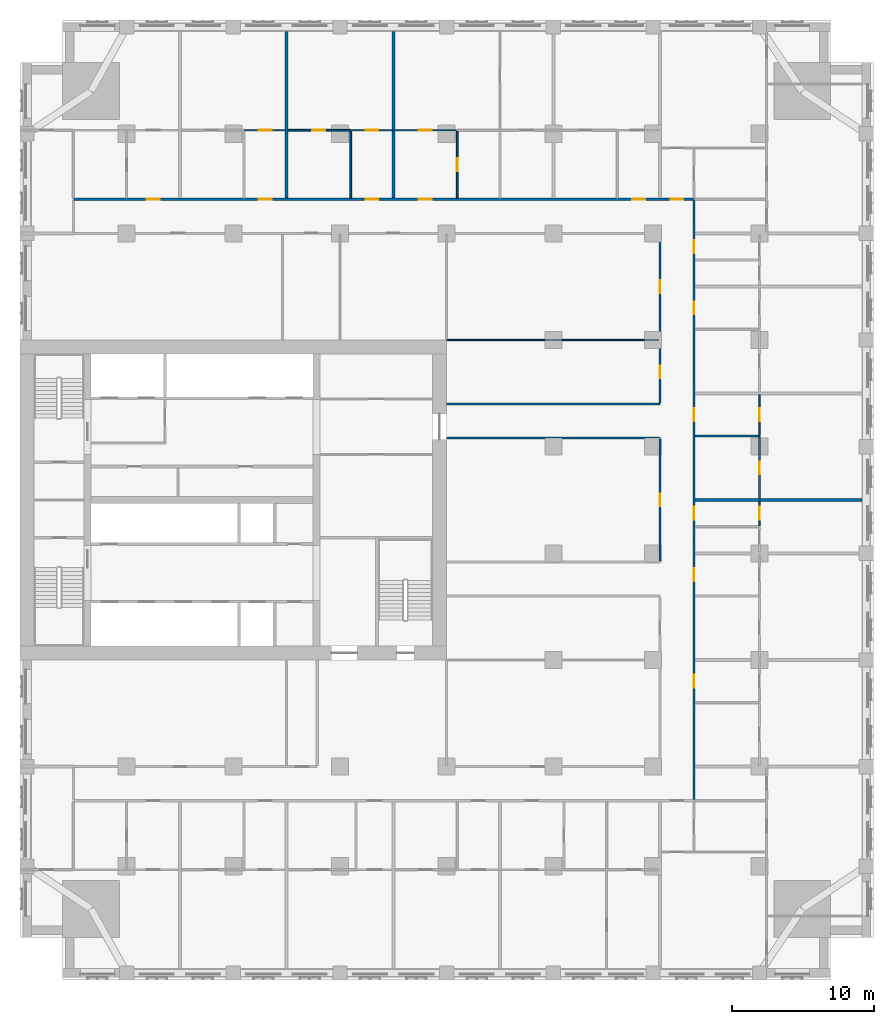
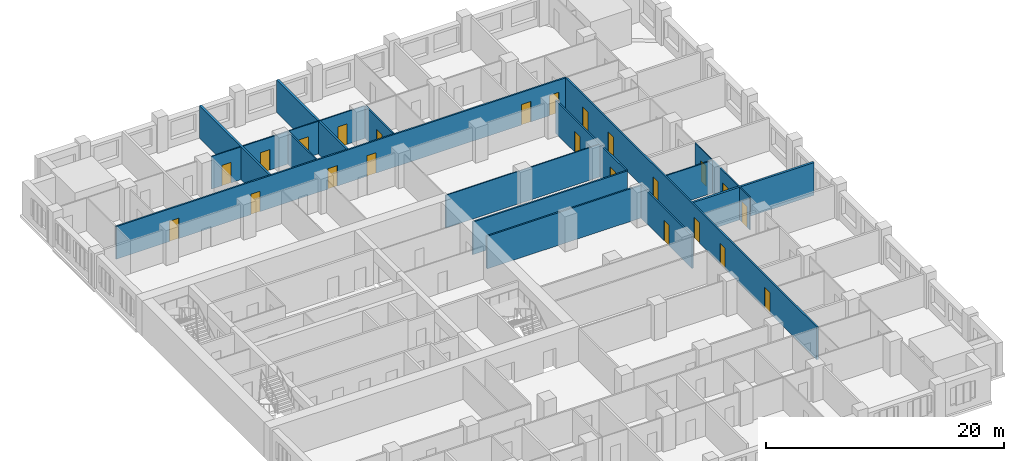
# One storey, part 9 of 14: 23 doors, 19 walls, 23 openings.
"""IFC4 building model written with IfcOpenShell, lengths in metres."""

from ifc_helpers import new_model, si_unit, direction, frame, frame_2d, origin, place, context, subcontext, project, spatial, rectangle, extrude, material, layer, layer_set, type_object, element, fill, save


model = new_model("IFC4")

# Units and contexts
model_context = context("Model", 3, precision=1e-05, world=origin(), true_north=direction((0.0, 1.0)))
body_context = subcontext(model_context, "Body", "Model", "MODEL_VIEW")
ifc_project = project(units=[si_unit("LENGTHUNIT", "METRE"), si_unit("AREAUNIT", "SQUARE_METRE"), si_unit("VOLUMEUNIT", "CUBIC_METRE"), si_unit("PLANEANGLEUNIT", "RADIAN"), si_unit("MASSUNIT", "GRAM", prefix="KILO")], contexts=[model_context])

# Site, building, storey
site_placement = place(None, origin())
site = spatial("IfcSite", under=ifc_project, at=site_placement, CompositionType="ELEMENT")
building_placement = place(site_placement, origin())
building = spatial("IfcBuilding", under=site, at=building_placement, Name="Tamorin Gate", CompositionType="ELEMENT")
storey_placement = place(building_placement, frame((0.0, 0.0, 52.0)))
storey = spatial("IfcBuildingStorey", under=building, at=storey_placement, Name="L11", CompositionType="ELEMENT", Elevation=52.0)

# Wall, openings, doors
ifc_material_1 = material(Name="Gypsum board partition")
ifc_layer_1 = layer(ifc_material_1, 0.14990234375)
ifc_layer_set_1 = layer_set([ifc_layer_1], Name="Corridor wall 150")
wall_type_1 = type_object("IfcWallType", Name="Corridor wall 150", PredefinedType="PARTITIONING", material=ifc_layer_set_1)
wall_1_placement = place(storey_placement, frame((33.75, 92.39990234375, 0.0), z_axis=(0.0, 0.0, 1.0), x_axis=(1.0, 0.0, 0.0)))
wall_1 = element("IfcWall", 1, at=wall_1_placement, inside=storey, type_object=wall_type_1, Name="Corridor wall 150", PredefinedType="PARTITIONING", context=body_context, shape_type="SweptSolid", body=[
    extrude(rectangle(XDim=43.64990234375, YDim=0.14990234375, at=frame_2d((21.824951171875, 0.0))), origin(), (0.0, 0.0, 1.0), 3.35009765625),
])
opening_1_placement = place(wall_1_placement, frame((5.175048828125, 0.0, 0.0)))
opening_1 = element("IfcOpeningElement", 2, at=opening_1_placement, cuts=wall_1, Name="Opening DH2021", PredefinedType="OPENING", context=body_context, shape_type="SweptSolid", body=[
    extrude(rectangle(XDim=0.89990234375, YDim=2.10009765625, at=frame_2d((0.449951171875, 1.050048828125))), frame((0.0, 0.0849609375, 0.0), z_axis=(0.0, -1.0, 0.0), x_axis=(1.0, 0.0, 0.0)), (0.0, 0.0, 1.0), 0.169921875),
])
opening_2_placement = place(wall_1_placement, frame((13.050048828125, 0.0, 0.0)))
opening_2 = element("IfcOpeningElement", 3, at=opening_2_placement, cuts=wall_1, Name="Opening DH2024", PredefinedType="OPENING", context=body_context, shape_type="SweptSolid", body=[
    extrude(rectangle(XDim=0.89990234375, YDim=2.10009765625, at=frame_2d((0.449951171875, 1.050048828125))), frame((0.0, 0.0849609375, 0.0), z_axis=(0.0, -1.0, 0.0), x_axis=(1.0, 0.0, 0.0)), (0.0, 0.0, 1.0), 0.169921875),
])
opening_3_placement = place(wall_1_placement, frame((20.550048828125, 0.0, 0.0)))
opening_3 = element("IfcOpeningElement", 4, at=opening_3_placement, cuts=wall_1, Name="Opening DH2027", PredefinedType="OPENING", context=body_context, shape_type="SweptSolid", body=[
    extrude(rectangle(XDim=0.89990234375, YDim=2.10009765625, at=frame_2d((0.449951171875, 1.050048828125))), frame((0.0, 0.0849609375, 0.0), z_axis=(0.0, -1.0, 0.0), x_axis=(1.0, 0.0, 0.0)), (0.0, 0.0, 1.0), 0.169921875),
])
opening_4_placement = place(wall_1_placement, frame((24.300048828125, 0.0, 0.0)))
opening_4 = element("IfcOpeningElement", 5, at=opening_4_placement, cuts=wall_1, Name="Opening DH2029", PredefinedType="OPENING", context=body_context, shape_type="SweptSolid", body=[
    extrude(rectangle(XDim=0.89990234375, YDim=2.10009765625, at=frame_2d((0.449951171875, 1.050048828125))), frame((0.0, 0.0849609375, 0.0), z_axis=(0.0, -1.0, 0.0), x_axis=(1.0, 0.0, 0.0)), (0.0, 0.0, 1.0), 0.169921875),
])
opening_5_placement = place(wall_1_placement, frame((39.300048828125, 0.0, 0.0)))
opening_5 = element("IfcOpeningElement", 6, at=opening_5_placement, cuts=wall_1, Name="Opening DH2035", PredefinedType="OPENING", context=body_context, shape_type="SweptSolid", body=[
    extrude(rectangle(XDim=0.89990234375, YDim=2.10009765625, at=frame_2d((0.449951171875, 1.050048828125))), frame((0.0, 0.0849609375, 0.0), z_axis=(0.0, -1.0, 0.0), x_axis=(1.0, 0.0, 0.0)), (0.0, 0.0, 1.0), 0.169921875),
])
opening_6_placement = place(wall_1_placement, frame((42.0, 0.0, 0.0)))
opening_6 = element("IfcOpeningElement", 7, at=opening_6_placement, cuts=wall_1, Name="Opening DH2061", PredefinedType="OPENING", context=body_context, shape_type="SweptSolid", body=[
    extrude(rectangle(XDim=0.89990234375, YDim=2.10009765625, at=frame_2d((0.449951171875, 1.050048828125))), frame((0.0, 0.0849609375, 0.0), z_axis=(0.0, -1.0, 0.0), x_axis=(1.0, 0.0, 0.0)), (0.0, 0.0, 1.0), 0.169921875),
])
ifc_material_2 = material(Name="Timber door leaf", Category="wood")
door_type_1 = type_object("IfcDoorType", Name="Door 900 x 2100 FD30S", OperationType="NOTDEFINED", PredefinedType="DOOR", material=ifc_material_2)
door_1_placement = place(opening_1_placement, origin())
door_1 = element("IfcDoor", 8, at=door_1_placement, inside=storey, type_object=door_type_1, Name="Door DH2021", OperationType="SINGLE_SWING_LEFT", OverallHeight=2.10009765625, OverallWidth=0.89990234375, PredefinedType="DOOR", context=body_context, shape_type="SweptSolid", body=[
    extrude(rectangle(XDim=0.89990234375, YDim=2.10009765625, at=frame_2d((0.449951171875, 1.050048828125))), frame((0.0, 0.02490234375, 0.0), z_axis=(0.0, -1.0, 0.0), x_axis=(1.0, 0.0, 0.0)), (0.0, 0.0, 1.0), 0.050048828125),
])
fill(opening_1, door_1)
door_2_placement = place(opening_2_placement, origin())
door_2 = element("IfcDoor", 9, at=door_2_placement, inside=storey, type_object=door_type_1, Name="Door DH2024", OperationType="SINGLE_SWING_LEFT", OverallHeight=2.10009765625, OverallWidth=0.89990234375, PredefinedType="DOOR", context=body_context, shape_type="SweptSolid", body=[
    extrude(rectangle(XDim=0.89990234375, YDim=2.10009765625, at=frame_2d((0.449951171875, 1.050048828125))), frame((0.0, 0.02490234375, 0.0), z_axis=(0.0, -1.0, 0.0), x_axis=(1.0, 0.0, 0.0)), (0.0, 0.0, 1.0), 0.050048828125),
])
fill(opening_2, door_2)
door_3_placement = place(opening_3_placement, origin())
door_3 = element("IfcDoor", 10, at=door_3_placement, inside=storey, type_object=door_type_1, Name="Door DH2027", OperationType="SINGLE_SWING_LEFT", OverallHeight=2.10009765625, OverallWidth=0.89990234375, PredefinedType="DOOR", context=body_context, shape_type="SweptSolid", body=[
    extrude(rectangle(XDim=0.89990234375, YDim=2.10009765625, at=frame_2d((0.449951171875, 1.050048828125))), frame((0.0, 0.02490234375, 0.0), z_axis=(0.0, -1.0, 0.0), x_axis=(1.0, 0.0, 0.0)), (0.0, 0.0, 1.0), 0.050048828125),
])
fill(opening_3, door_3)
door_4_placement = place(opening_4_placement, origin())
door_4 = element("IfcDoor", 11, at=door_4_placement, inside=storey, type_object=door_type_1, Name="Door DH2029", OperationType="SINGLE_SWING_LEFT", OverallHeight=2.10009765625, OverallWidth=0.89990234375, PredefinedType="DOOR", context=body_context, shape_type="SweptSolid", body=[
    extrude(rectangle(XDim=0.89990234375, YDim=2.10009765625, at=frame_2d((0.449951171875, 1.050048828125))), frame((0.0, 0.02490234375, 0.0), z_axis=(0.0, -1.0, 0.0), x_axis=(1.0, 0.0, 0.0)), (0.0, 0.0, 1.0), 0.050048828125),
])
fill(opening_4, door_4)
door_5_placement = place(opening_5_placement, origin())
door_5 = element("IfcDoor", 12, at=door_5_placement, inside=storey, type_object=door_type_1, Name="Door DH2035", OperationType="SINGLE_SWING_LEFT", OverallHeight=2.10009765625, OverallWidth=0.89990234375, PredefinedType="DOOR", context=body_context, shape_type="SweptSolid", body=[
    extrude(rectangle(XDim=0.89990234375, YDim=2.10009765625, at=frame_2d((0.449951171875, 1.050048828125))), frame((0.0, 0.02490234375, 0.0), z_axis=(0.0, -1.0, 0.0), x_axis=(1.0, 0.0, 0.0)), (0.0, 0.0, 1.0), 0.050048828125),
])
fill(opening_5, door_5)
door_6_placement = place(opening_6_placement, origin())
door_6 = element("IfcDoor", 13, at=door_6_placement, inside=storey, type_object=door_type_1, Name="Door DH2061", OperationType="SINGLE_SWING_RIGHT", OverallHeight=2.10009765625, OverallWidth=0.89990234375, PredefinedType="DOOR", context=body_context, shape_type="SweptSolid", body=[
    extrude(rectangle(XDim=0.89990234375, YDim=2.10009765625, at=frame_2d((0.449951171875, 1.050048828125))), frame((0.0, 0.02490234375, 0.0), z_axis=(0.0, -1.0, 0.0), x_axis=(1.0, 0.0, 0.0)), (0.0, 0.0, 1.0), 0.050048828125),
])
fill(opening_6, door_6)

# Wall, opening, door
wall_2_placement = place(storey_placement, frame((75.0, 66.97509765625, 0.0), z_axis=(0.0, 0.0, 1.0), x_axis=(0.0, 1.0, 0.0)))
wall_2 = element("IfcWall", 14, at=wall_2_placement, inside=storey, type_object=wall_type_1, Name="Corridor wall 150", PredefinedType="PARTITIONING", context=body_context, shape_type="SweptSolid", body=[
    extrude(rectangle(XDim=8.5498046875, YDim=0.14990234375, at=frame_2d((4.27490234375, 0.0))), origin(), (0.0, 0.0, 1.0), 3.35009765625),
])
opening_7_placement = place(wall_2_placement, frame((3.824951171875, 0.0, 0.0)))
opening_7 = element("IfcOpeningElement", 15, at=opening_7_placement, cuts=wall_2, Name="Opening DH2075", PredefinedType="OPENING", context=body_context, shape_type="SweptSolid", body=[
    extrude(rectangle(XDim=0.89990234375, YDim=2.10009765625, at=frame_2d((0.449951171875, 1.050048828125))), frame((0.0, 0.0849609375, 0.0), z_axis=(0.0, -1.0, 0.0), x_axis=(1.0, 0.0, 0.0)), (0.0, 0.0, 1.0), 0.169921875),
])
door_7_placement = place(opening_7_placement, origin())
door_7 = element("IfcDoor", 16, at=door_7_placement, inside=storey, type_object=door_type_1, Name="Door DH2075", OperationType="SINGLE_SWING_LEFT", OverallHeight=2.10009765625, OverallWidth=0.89990234375, PredefinedType="DOOR", context=body_context, shape_type="SweptSolid", body=[
    extrude(rectangle(XDim=0.89990234375, YDim=2.10009765625, at=frame_2d((0.449951171875, 1.050048828125))), frame((0.0, 0.02490234375, 0.0), z_axis=(0.0, -1.0, 0.0), x_axis=(1.0, 0.0, 0.0)), (0.0, 0.0, 1.0), 0.050048828125),
])
fill(opening_7, door_7)

# Wall, openings, doors
wall_3_placement = place(storey_placement, frame((75.0, 78.074951171875, 0.0), z_axis=(0.0, 0.0, 1.0), x_axis=(0.0, 1.0, 0.0)))
wall_3 = element("IfcWall", 17, at=wall_3_placement, inside=storey, type_object=wall_type_1, Name="Corridor wall 150", PredefinedType="PARTITIONING", context=body_context, shape_type="SweptSolid", body=[
    extrude(rectangle(XDim=11.85009765625, YDim=0.14990234375, at=frame_2d((5.925048828125, 0.0))), origin(), (0.0, 0.0, 1.0), 3.35009765625),
])
opening_8_placement = place(wall_3_placement, frame((7.72509765625, 0.0, 0.0)))
opening_8 = element("IfcOpeningElement", 18, at=opening_8_placement, cuts=wall_3, Name="Opening DH2073", PredefinedType="OPENING", context=body_context, shape_type="SweptSolid", body=[
    extrude(rectangle(XDim=0.89990234375, YDim=2.10009765625, at=frame_2d((0.449951171875, 1.050048828125))), frame((0.0, 0.0849609375, 0.0), z_axis=(0.0, -1.0, 0.0), x_axis=(1.0, 0.0, 0.0)), (0.0, 0.0, 1.0), 0.169921875),
])
opening_9_placement = place(wall_3_placement, frame((1.72509765625, 0.0, 0.0)))
opening_9 = element("IfcOpeningElement", 19, at=opening_9_placement, cuts=wall_3, Name="Opening DH2076", PredefinedType="OPENING", context=body_context, shape_type="SweptSolid", body=[
    extrude(rectangle(XDim=0.89990234375, YDim=2.10009765625, at=frame_2d((0.449951171875, 1.050048828125))), frame((0.0, 0.0849609375, 0.0), z_axis=(0.0, -1.0, 0.0), x_axis=(1.0, 0.0, 0.0)), (0.0, 0.0, 1.0), 0.169921875),
])
door_8_placement = place(opening_8_placement, origin())
door_8 = element("IfcDoor", 20, at=door_8_placement, inside=storey, type_object=door_type_1, Name="Door DH2073", OperationType="SINGLE_SWING_LEFT", OverallHeight=2.10009765625, OverallWidth=0.89990234375, PredefinedType="DOOR", context=body_context, shape_type="SweptSolid", body=[
    extrude(rectangle(XDim=0.89990234375, YDim=2.10009765625, at=frame_2d((0.449951171875, 1.050048828125))), frame((0.0, 0.02490234375, 0.0), z_axis=(0.0, -1.0, 0.0), x_axis=(1.0, 0.0, 0.0)), (0.0, 0.0, 1.0), 0.050048828125),
])
fill(opening_8, door_8)
door_9_placement = place(opening_9_placement, origin())
door_9 = element("IfcDoor", 21, at=door_9_placement, inside=storey, type_object=door_type_1, Name="Door DH2076", OperationType="SINGLE_SWING_LEFT", OverallHeight=2.10009765625, OverallWidth=0.89990234375, PredefinedType="DOOR", context=body_context, shape_type="SweptSolid", body=[
    extrude(rectangle(XDim=0.89990234375, YDim=2.10009765625, at=frame_2d((0.449951171875, 1.050048828125))), frame((0.0, 0.02490234375, 0.0), z_axis=(0.0, -1.0, 0.0), x_axis=(1.0, 0.0, 0.0)), (0.0, 0.0, 1.0), 0.050048828125),
])
fill(opening_9, door_9)

wall_4_placement = place(storey_placement, frame((77.39990234375, 50.175048828125, 0.0), z_axis=(0.0, 0.0, 1.0), x_axis=(0.0, 1.0, 0.0)))
wall_4 = element("IfcWall", 22, at=wall_4_placement, inside=storey, type_object=wall_type_1, Name="Corridor wall 150", PredefinedType="PARTITIONING", context=body_context, shape_type="SweptSolid", body=[
    extrude(rectangle(XDim=42.14990234375, YDim=0.14990234375, at=frame_2d((21.074951171875, 0.0))), origin(), (0.0, 0.0, 1.0), 3.35009765625),
])
opening_10_placement = place(wall_4_placement, frame((7.875, 0.0, 0.0)))
opening_10 = element("IfcOpeningElement", 23, at=opening_10_placement, cuts=wall_4, Name="Opening DH2038", PredefinedType="OPENING", context=body_context, shape_type="SweptSolid", body=[
    extrude(rectangle(XDim=0.89990234375, YDim=2.10009765625, at=frame_2d((0.449951171875, 1.050048828125))), frame((0.0, 0.0849609375, 0.0), z_axis=(0.0, -1.0, 0.0), x_axis=(1.0, 0.0, 0.0)), (0.0, 0.0, 1.0), 0.169921875),
])
opening_11_placement = place(wall_4_placement, frame((15.375, 0.0, 0.0)))
opening_11 = element("IfcOpeningElement", 24, at=opening_11_placement, cuts=wall_4, Name="Opening DH2041", PredefinedType="OPENING", context=body_context, shape_type="SweptSolid", body=[
    extrude(rectangle(XDim=0.89990234375, YDim=2.10009765625, at=frame_2d((0.449951171875, 1.050048828125))), frame((0.0, 0.0849609375, 0.0), z_axis=(0.0, -1.0, 0.0), x_axis=(1.0, 0.0, 0.0)), (0.0, 0.0, 1.0), 0.169921875),
])
opening_12_placement = place(wall_4_placement, frame((19.6875, 0.0, 0.0)))
opening_12 = element("IfcOpeningElement", 25, at=opening_12_placement, cuts=wall_4, Name="Opening DH2044", PredefinedType="OPENING", context=body_context, shape_type="SweptSolid", body=[
    extrude(rectangle(XDim=0.89990234375, YDim=2.10009765625, at=frame_2d((0.449951171875, 1.050048828125))), frame((0.0, 0.0849609375, 0.0), z_axis=(0.0, -1.0, 0.0), x_axis=(1.0, 0.0, 0.0)), (0.0, 0.0, 1.0), 0.169921875),
])
opening_13_placement = place(wall_4_placement, frame((26.625, 0.0, 0.0)))
opening_13 = element("IfcOpeningElement", 26, at=opening_13_placement, cuts=wall_4, Name="Opening DH2047", PredefinedType="OPENING", context=body_context, shape_type="SweptSolid", body=[
    extrude(rectangle(XDim=0.89990234375, YDim=2.10009765625, at=frame_2d((0.449951171875, 1.050048828125))), frame((0.0, 0.0849609375, 0.0), z_axis=(0.0, -1.0, 0.0), x_axis=(1.0, 0.0, 0.0)), (0.0, 0.0, 1.0), 0.169921875),
])
opening_14_placement = place(wall_4_placement, frame((34.125, 0.0, 0.0)))
opening_14 = element("IfcOpeningElement", 27, at=opening_14_placement, cuts=wall_4, Name="Opening DH2050", PredefinedType="OPENING", context=body_context, shape_type="SweptSolid", body=[
    extrude(rectangle(XDim=0.89990234375, YDim=2.10009765625, at=frame_2d((0.449951171875, 1.050048828125))), frame((0.0, 0.0849609375, 0.0), z_axis=(0.0, -1.0, 0.0), x_axis=(1.0, 0.0, 0.0)), (0.0, 0.0, 1.0), 0.169921875),
])
opening_15_placement = place(wall_4_placement, frame((38.4375, 0.0, 0.0)))
opening_15 = element("IfcOpeningElement", 28, at=opening_15_placement, cuts=wall_4, Name="Opening DH2053", PredefinedType="OPENING", context=body_context, shape_type="SweptSolid", body=[
    extrude(rectangle(XDim=0.89990234375, YDim=2.10009765625, at=frame_2d((0.449951171875, 1.050048828125))), frame((0.0, 0.0849609375, 0.0), z_axis=(0.0, -1.0, 0.0), x_axis=(1.0, 0.0, 0.0)), (0.0, 0.0, 1.0), 0.169921875),
])
door_10_placement = place(opening_10_placement, origin())
door_10 = element("IfcDoor", 29, at=door_10_placement, inside=storey, type_object=door_type_1, Name="Door DH2038", OperationType="SINGLE_SWING_RIGHT", OverallHeight=2.10009765625, OverallWidth=0.89990234375, PredefinedType="DOOR", context=body_context, shape_type="SweptSolid", body=[
    extrude(rectangle(XDim=0.89990234375, YDim=2.10009765625, at=frame_2d((0.449951171875, 1.050048828125))), frame((0.0, 0.02490234375, 0.0), z_axis=(0.0, -1.0, 0.0), x_axis=(1.0, 0.0, 0.0)), (0.0, 0.0, 1.0), 0.050048828125),
])
fill(opening_10, door_10)
door_11_placement = place(opening_11_placement, origin())
door_11 = element("IfcDoor", 30, at=door_11_placement, inside=storey, type_object=door_type_1, Name="Door DH2041", OperationType="SINGLE_SWING_RIGHT", OverallHeight=2.10009765625, OverallWidth=0.89990234375, PredefinedType="DOOR", context=body_context, shape_type="SweptSolid", body=[
    extrude(rectangle(XDim=0.89990234375, YDim=2.10009765625, at=frame_2d((0.449951171875, 1.050048828125))), frame((0.0, 0.02490234375, 0.0), z_axis=(0.0, -1.0, 0.0), x_axis=(1.0, 0.0, 0.0)), (0.0, 0.0, 1.0), 0.050048828125),
])
fill(opening_11, door_11)
door_12_placement = place(opening_12_placement, origin())
door_12 = element("IfcDoor", 31, at=door_12_placement, inside=storey, type_object=door_type_1, Name="Door DH2044", OperationType="SINGLE_SWING_RIGHT", OverallHeight=2.10009765625, OverallWidth=0.89990234375, PredefinedType="DOOR", context=body_context, shape_type="SweptSolid", body=[
    extrude(rectangle(XDim=0.89990234375, YDim=2.10009765625, at=frame_2d((0.449951171875, 1.050048828125))), frame((0.0, 0.02490234375, 0.0), z_axis=(0.0, -1.0, 0.0), x_axis=(1.0, 0.0, 0.0)), (0.0, 0.0, 1.0), 0.050048828125),
])
fill(opening_12, door_12)
door_13_placement = place(opening_13_placement, origin())
door_13 = element("IfcDoor", 32, at=door_13_placement, inside=storey, type_object=door_type_1, Name="Door DH2047", OperationType="SINGLE_SWING_RIGHT", OverallHeight=2.10009765625, OverallWidth=0.89990234375, PredefinedType="DOOR", context=body_context, shape_type="SweptSolid", body=[
    extrude(rectangle(XDim=0.89990234375, YDim=2.10009765625, at=frame_2d((0.449951171875, 1.050048828125))), frame((0.0, 0.02490234375, 0.0), z_axis=(0.0, -1.0, 0.0), x_axis=(1.0, 0.0, 0.0)), (0.0, 0.0, 1.0), 0.050048828125),
])
fill(opening_13, door_13)
door_14_placement = place(opening_14_placement, origin())
door_14 = element("IfcDoor", 33, at=door_14_placement, inside=storey, type_object=door_type_1, Name="Door DH2050", OperationType="SINGLE_SWING_RIGHT", OverallHeight=2.10009765625, OverallWidth=0.89990234375, PredefinedType="DOOR", context=body_context, shape_type="SweptSolid", body=[
    extrude(rectangle(XDim=0.89990234375, YDim=2.10009765625, at=frame_2d((0.449951171875, 1.050048828125))), frame((0.0, 0.02490234375, 0.0), z_axis=(0.0, -1.0, 0.0), x_axis=(1.0, 0.0, 0.0)), (0.0, 0.0, 1.0), 0.050048828125),
])
fill(opening_14, door_14)
door_15_placement = place(opening_15_placement, origin())
door_15 = element("IfcDoor", 34, at=door_15_placement, inside=storey, type_object=door_type_1, Name="Door DH2053", OperationType="SINGLE_SWING_RIGHT", OverallHeight=2.10009765625, OverallWidth=0.89990234375, PredefinedType="DOOR", context=body_context, shape_type="SweptSolid", body=[
    extrude(rectangle(XDim=0.89990234375, YDim=2.10009765625, at=frame_2d((0.449951171875, 1.050048828125))), frame((0.0, 0.02490234375, 0.0), z_axis=(0.0, -1.0, 0.0), x_axis=(1.0, 0.0, 0.0)), (0.0, 0.0, 1.0), 0.050048828125),
])
fill(opening_15, door_15)

# Walls
ifc_layer_2 = layer(ifc_material_1, 0.199951171875)
ifc_layer_set_2 = layer_set([ifc_layer_2], Name="Demising wall 200")
wall_type_2 = type_object("IfcWallType", Name="Demising wall 200", PredefinedType="PARTITIONING", material=ifc_layer_set_2)
for number, where, z_axis, x_axis, name in (
    (35, (77.47509765625, 71.25, 0.0), (0.0, 0.0, 1.0), (1.0, 0.0, 0.0), "Demising wall 200"),
    (36, (48.75, 92.47509765625, 0.0), (0.0, 0.0, 1.0), (0.0, 1.0, 0.0), "Demising wall 200"),
    (37, (56.25, 92.47509765625, 0.0), (0.0, 0.0, 1.0), (0.0, 1.0, 0.0), "Demising wall 200"),
):
    element("IfcWall", number, at=place(storey_placement, frame(where, z_axis=z_axis, x_axis=x_axis)), inside=storey, type_object=wall_type_2, Name=name, PredefinedType="PARTITIONING", context=body_context, shape_type="SweptSolid", body=[
        extrude(rectangle(XDim=11.71484375, YDim=0.199951171875, at=frame_2d((5.857421875, 0.0))), origin(), (0.0, 0.0, 1.0), 3.35009765625),
    ])
ifc_layer_3 = layer(ifc_material_1, 0.14990234375)
ifc_layer_set_3 = layer_set([ifc_layer_3], Name="Lobby wall 150")
wall_type_3 = type_object("IfcWallType", Name="Lobby wall 150", PredefinedType="PARTITIONING", material=ifc_layer_set_3)
for number, where, z_axis, x_axis, name in (
    (38, (60.0, 75.60009765625, 0.0), (0.0, 0.0, 1.0), (1.0, 0.0, 0.0), "Lobby wall 150"),
    (39, (60.0, 78.0, 0.0), (0.0, 0.0, 1.0), (1.0, 0.0, 0.0), "Lobby wall 150"),
):
    element("IfcWall", number, at=place(storey_placement, frame(where, z_axis=z_axis, x_axis=x_axis)), inside=storey, type_object=wall_type_3, Name=name, PredefinedType="PARTITIONING", context=body_context, shape_type="SweptSolid", body=[
        extrude(rectangle(XDim=15.0, YDim=0.14990234375, at=frame_2d((7.5, 0.0))), origin(), (0.0, 0.0, 1.0), 3.35009765625),
    ])
ifc_layer_4 = layer(ifc_material_1, 0.10009765625)
ifc_layer_set_4 = layer_set([ifc_layer_4], Name="Room partition 100")
wall_type_4 = type_object("IfcWallType", Name="Room partition 100", PredefinedType="PARTITIONING", material=ifc_layer_set_4)
wall_5_placement = place(storey_placement, frame((60.0, 82.5, 0.0), z_axis=(0.0, 0.0, 1.0), x_axis=(1.0, 0.0, 0.0)))
element("IfcWall", 40, at=wall_5_placement, inside=storey, type_object=wall_type_4, Name="Room partition 100", PredefinedType="PARTITIONING", context=body_context, shape_type="SweptSolid", body=[
    extrude(rectangle(XDim=14.925048828125, YDim=0.10009765625, at=frame_2d((7.46240234375, 0.0))), origin(), (0.0, 0.0, 1.0), 3.35009765625),
])

# Wall, opening, door
wall_6_placement = place(storey_placement, frame((45.8125, 97.25, 0.0), z_axis=(0.0, 0.0, 1.0), x_axis=(1.0, 0.0, 0.0)))
wall_6 = element("IfcWall", 41, at=wall_6_placement, inside=storey, type_object=wall_type_4, Name="Room partition 100", PredefinedType="PARTITIONING", context=body_context, shape_type="SweptSolid", body=[
    extrude(rectangle(XDim=2.83740234375, YDim=0.10009765625, at=frame_2d((1.418701171875, 0.0))), origin(), (0.0, 0.0, 1.0), 3.35009765625),
])
opening_16_placement = place(wall_6_placement, frame((0.987548828125, 0.0, 0.0)))
opening_16 = element("IfcOpeningElement", 42, at=opening_16_placement, cuts=wall_6, Name="Opening DH2025", PredefinedType="OPENING", context=body_context, shape_type="SweptSolid", body=[
    extrude(rectangle(XDim=0.89990234375, YDim=2.10009765625, at=frame_2d((0.449951171875, 1.050048828125))), frame((0.0, 0.06005859375, 0.0), z_axis=(0.0, -1.0, 0.0), x_axis=(1.0, 0.0, 0.0)), (0.0, 0.0, 1.0), 0.1201171875),
])
door_type_2 = type_object("IfcDoorType", Name="Door 900 x 2100", OperationType="NOTDEFINED", PredefinedType="DOOR", material=ifc_material_2)
door_16_placement = place(opening_16_placement, origin())
door_16 = element("IfcDoor", 43, at=door_16_placement, inside=storey, type_object=door_type_2, Name="Door DH2025", OperationType="SINGLE_SWING_RIGHT", OverallHeight=2.10009765625, OverallWidth=0.89990234375, PredefinedType="DOOR", context=body_context, shape_type="SweptSolid", body=[
    extrude(rectangle(XDim=0.89990234375, YDim=2.10009765625, at=frame_2d((0.449951171875, 1.050048828125))), frame((0.0, 0.02490234375, 0.0), z_axis=(0.0, -1.0, 0.0), x_axis=(1.0, 0.0, 0.0)), (0.0, 0.0, 1.0), 0.050048828125),
])
fill(opening_16, door_16)

# Wall, openings, doors
wall_7_placement = place(storey_placement, frame((53.3125, 97.25, 0.0), z_axis=(0.0, 0.0, 1.0), x_axis=(1.0, 0.0, 0.0)))
wall_7 = element("IfcWall", 44, at=wall_7_placement, inside=storey, type_object=wall_type_4, Name="Room partition 100", PredefinedType="PARTITIONING", context=body_context, shape_type="SweptSolid", body=[
    extrude(rectangle(XDim=7.375, YDim=0.10009765625, at=frame_2d((3.6875, 0.0))), origin(), (0.0, 0.0, 1.0), 3.35009765625),
])
opening_17_placement = place(wall_7_placement, frame((0.987548828125, 0.0, 0.0)))
opening_17 = element("IfcOpeningElement", 45, at=opening_17_placement, cuts=wall_7, Name="Opening DH2028", PredefinedType="OPENING", context=body_context, shape_type="SweptSolid", body=[
    extrude(rectangle(XDim=0.89990234375, YDim=2.10009765625, at=frame_2d((0.449951171875, 1.050048828125))), frame((0.0, 0.06005859375, 0.0), z_axis=(0.0, -1.0, 0.0), x_axis=(1.0, 0.0, 0.0)), (0.0, 0.0, 1.0), 0.1201171875),
])
opening_18_placement = place(wall_7_placement, frame((4.737548828125, 0.0, 0.0)))
opening_18 = element("IfcOpeningElement", 46, at=opening_18_placement, cuts=wall_7, Name="Opening DH2030", PredefinedType="OPENING", context=body_context, shape_type="SweptSolid", body=[
    extrude(rectangle(XDim=0.89990234375, YDim=2.10009765625, at=frame_2d((0.449951171875, 1.050048828125))), frame((0.0, 0.06005859375, 0.0), z_axis=(0.0, -1.0, 0.0), x_axis=(1.0, 0.0, 0.0)), (0.0, 0.0, 1.0), 0.1201171875),
])
door_17_placement = place(opening_17_placement, origin())
door_17 = element("IfcDoor", 47, at=door_17_placement, inside=storey, type_object=door_type_2, Name="Door DH2028", OperationType="SINGLE_SWING_RIGHT", OverallHeight=2.10009765625, OverallWidth=0.89990234375, PredefinedType="DOOR", context=body_context, shape_type="SweptSolid", body=[
    extrude(rectangle(XDim=0.89990234375, YDim=2.10009765625, at=frame_2d((0.449951171875, 1.050048828125))), frame((0.0, 0.02490234375, 0.0), z_axis=(0.0, -1.0, 0.0), x_axis=(1.0, 0.0, 0.0)), (0.0, 0.0, 1.0), 0.050048828125),
])
fill(opening_17, door_17)
door_18_placement = place(opening_18_placement, origin())
door_18 = element("IfcDoor", 48, at=door_18_placement, inside=storey, type_object=door_type_2, Name="Door DH2030", OperationType="SINGLE_SWING_RIGHT", OverallHeight=2.10009765625, OverallWidth=0.89990234375, PredefinedType="DOOR", context=body_context, shape_type="SweptSolid", body=[
    extrude(rectangle(XDim=0.89990234375, YDim=2.10009765625, at=frame_2d((0.449951171875, 1.050048828125))), frame((0.0, 0.02490234375, 0.0), z_axis=(0.0, -1.0, 0.0), x_axis=(1.0, 0.0, 0.0)), (0.0, 0.0, 1.0), 0.050048828125),
])
fill(opening_18, door_18)

# Wall, opening, door
wall_8_placement = place(storey_placement, frame((82.0, 69.4375, 0.0), z_axis=(0.0, 0.0, 1.0), x_axis=(0.0, 1.0, 0.0)))
wall_8 = element("IfcWall", 49, at=wall_8_placement, inside=storey, type_object=wall_type_4, Name="Room partition 100", PredefinedType="PARTITIONING", context=body_context, shape_type="SweptSolid", body=[
    extrude(rectangle(XDim=1.71240234375, YDim=0.10009765625, at=frame_2d((0.856201171875, 0.0))), origin(), (0.0, 0.0, 1.0), 3.35009765625),
])
opening_19_placement = place(wall_8_placement, frame((0.425048828125, 0.0, 0.0)))
opening_19 = element("IfcOpeningElement", 50, at=opening_19_placement, cuts=wall_8, Name="Opening DH2045", PredefinedType="OPENING", context=body_context, shape_type="SweptSolid", body=[
    extrude(rectangle(XDim=0.89990234375, YDim=2.10009765625, at=frame_2d((0.449951171875, 1.050048828125))), frame((0.0, 0.06005859375, 0.0), z_axis=(0.0, -1.0, 0.0), x_axis=(1.0, 0.0, 0.0)), (0.0, 0.0, 1.0), 0.1201171875),
])
door_19_placement = place(opening_19_placement, origin())
door_19 = element("IfcDoor", 51, at=door_19_placement, inside=storey, type_object=door_type_2, Name="Door DH2045", OperationType="SINGLE_SWING_LEFT", OverallHeight=2.10009765625, OverallWidth=0.89990234375, PredefinedType="DOOR", context=body_context, shape_type="SweptSolid", body=[
    extrude(rectangle(XDim=0.89990234375, YDim=2.10009765625, at=frame_2d((0.449951171875, 1.050048828125))), frame((0.0, 0.02490234375, 0.0), z_axis=(0.0, -1.0, 0.0), x_axis=(1.0, 0.0, 0.0)), (0.0, 0.0, 1.0), 0.050048828125),
])
fill(opening_19, door_19)

wall_9_placement = place(storey_placement, frame((82.0, 75.8125, 0.0), z_axis=(0.0, 0.0, 1.0), x_axis=(0.0, 1.0, 0.0)))
wall_9 = element("IfcWall", 52, at=wall_9_placement, inside=storey, type_object=wall_type_4, Name="Room partition 100", PredefinedType="PARTITIONING", context=body_context, shape_type="SweptSolid", body=[
    extrude(rectangle(XDim=2.83740234375, YDim=0.10009765625, at=frame_2d((1.418701171875, 0.0))), origin(), (0.0, 0.0, 1.0), 3.35009765625),
])
opening_20_placement = place(wall_9_placement, frame((0.987548828125, 0.0, 0.0)))
opening_20 = element("IfcOpeningElement", 53, at=opening_20_placement, cuts=wall_9, Name="Opening DH2048", PredefinedType="OPENING", context=body_context, shape_type="SweptSolid", body=[
    extrude(rectangle(XDim=0.89990234375, YDim=2.10009765625, at=frame_2d((0.449951171875, 1.050048828125))), frame((0.0, 0.06005859375, 0.0), z_axis=(0.0, -1.0, 0.0), x_axis=(1.0, 0.0, 0.0)), (0.0, 0.0, 1.0), 0.1201171875),
])
door_20_placement = place(opening_20_placement, origin())
door_20 = element("IfcDoor", 54, at=door_20_placement, inside=storey, type_object=door_type_2, Name="Door DH2048", OperationType="SINGLE_SWING_LEFT", OverallHeight=2.10009765625, OverallWidth=0.89990234375, PredefinedType="DOOR", context=body_context, shape_type="SweptSolid", body=[
    extrude(rectangle(XDim=0.89990234375, YDim=2.10009765625, at=frame_2d((0.449951171875, 1.050048828125))), frame((0.0, 0.02490234375, 0.0), z_axis=(0.0, -1.0, 0.0), x_axis=(1.0, 0.0, 0.0)), (0.0, 0.0, 1.0), 0.050048828125),
])
fill(opening_20, door_20)

# Wall
ifc_layer_5 = layer(ifc_material_1, 0.125)
ifc_layer_set_5 = layer_set([ifc_layer_5], Name="Wet wall 125")
wall_type_5 = type_object("IfcWallType", Name="Wet wall 125", PredefinedType="PARTITIONING", material=ifc_layer_set_5)
wall_10_placement = place(storey_placement, frame((77.47509765625, 75.75, 0.0), z_axis=(0.0, 0.0, 1.0), x_axis=(1.0, 0.0, 0.0)))
element("IfcWall", 55, at=wall_10_placement, inside=storey, type_object=wall_type_5, Name="Wet wall 125", PredefinedType="PARTITIONING", context=body_context, shape_type="SweptSolid", body=[
    extrude(rectangle(XDim=4.52490234375, YDim=0.125, at=frame_2d((2.262451171875, 0.0))), origin(), (0.0, 0.0, 1.0), 3.35009765625),
])

# Wall, opening, door
wall_11_placement = place(storey_placement, frame((48.85009765625, 97.25, 0.0), z_axis=(0.0, 0.0, 1.0), x_axis=(1.0, 0.0, 0.0)))
wall_11 = element("IfcWall", 56, at=wall_11_placement, inside=storey, type_object=wall_type_5, Name="Wet wall 125", PredefinedType="PARTITIONING", context=body_context, shape_type="SweptSolid", body=[
    extrude(rectangle(XDim=4.39990234375, YDim=0.125, at=frame_2d((2.199951171875, 0.0))), origin(), (0.0, 0.0, 1.0), 3.35009765625),
])
opening_21_placement = place(wall_11_placement, frame((1.699951171875, 0.0, 0.0)))
opening_21 = element("IfcOpeningElement", 57, at=opening_21_placement, cuts=wall_11, Name="Opening DH2026", PredefinedType="OPENING", context=body_context, shape_type="SweptSolid", body=[
    extrude(rectangle(XDim=0.89990234375, YDim=2.10009765625, at=frame_2d((0.449951171875, 1.050048828125))), frame((0.0, 0.072509765625, 0.0), z_axis=(0.0, -1.0, 0.0), x_axis=(1.0, 0.0, 0.0)), (0.0, 0.0, 1.0), 0.14501953125),
])
door_21_placement = place(opening_21_placement, origin())
door_21 = element("IfcDoor", 58, at=door_21_placement, inside=storey, type_object=door_type_2, Name="Door DH2026", OperationType="SINGLE_SWING_RIGHT", OverallHeight=2.10009765625, OverallWidth=0.89990234375, PredefinedType="DOOR", context=body_context, shape_type="SweptSolid", body=[
    extrude(rectangle(XDim=0.89990234375, YDim=2.10009765625, at=frame_2d((0.449951171875, 1.050048828125))), frame((0.0, 0.02490234375, 0.0), z_axis=(0.0, -1.0, 0.0), x_axis=(1.0, 0.0, 0.0)), (0.0, 0.0, 1.0), 0.050048828125),
])
fill(opening_21, door_21)

# Wall
wall_12_placement = place(storey_placement, frame((53.25, 92.47509765625, 0.0), z_axis=(0.0, 0.0, 1.0), x_axis=(0.0, 1.0, 0.0)))
element("IfcWall", 59, at=wall_12_placement, inside=storey, type_object=wall_type_5, Name="Wet wall 125", PredefinedType="PARTITIONING", context=body_context, shape_type="SweptSolid", body=[
    extrude(rectangle(XDim=4.71240234375, YDim=0.125, at=frame_2d((2.356201171875, 0.0))), origin(), (0.0, 0.0, 1.0), 3.35009765625),
])

# Wall, opening, door
wall_13_placement = place(storey_placement, frame((60.75, 92.47509765625, 0.0), z_axis=(0.0, 0.0, 1.0), x_axis=(0.0, 1.0, 0.0)))
wall_13 = element("IfcWall", 60, at=wall_13_placement, inside=storey, type_object=wall_type_5, Name="Wet wall 125", PredefinedType="PARTITIONING", context=body_context, shape_type="SweptSolid", body=[
    extrude(rectangle(XDim=4.71240234375, YDim=0.125, at=frame_2d((2.356201171875, 0.0))), origin(), (0.0, 0.0, 1.0), 3.35009765625),
])
opening_22_placement = place(wall_13_placement, frame((1.89990234375, 0.0, 0.0)))
opening_22 = element("IfcOpeningElement", 61, at=opening_22_placement, cuts=wall_13, Name="Opening DH2031", PredefinedType="OPENING", context=body_context, shape_type="SweptSolid", body=[
    extrude(rectangle(XDim=0.89990234375, YDim=2.10009765625, at=frame_2d((0.449951171875, 1.050048828125))), frame((0.0, 0.072509765625, 0.0), z_axis=(0.0, -1.0, 0.0), x_axis=(1.0, 0.0, 0.0)), (0.0, 0.0, 1.0), 0.14501953125),
])
door_22_placement = place(opening_22_placement, origin())
door_22 = element("IfcDoor", 62, at=door_22_placement, inside=storey, type_object=door_type_2, Name="Door DH2031", OperationType="SINGLE_SWING_LEFT", OverallHeight=2.10009765625, OverallWidth=0.89990234375, PredefinedType="DOOR", context=body_context, shape_type="SweptSolid", body=[
    extrude(rectangle(XDim=0.89990234375, YDim=2.10009765625, at=frame_2d((0.449951171875, 1.050048828125))), frame((0.0, 0.02490234375, 0.0), z_axis=(0.0, -1.0, 0.0), x_axis=(1.0, 0.0, 0.0)), (0.0, 0.0, 1.0), 0.050048828125),
])
fill(opening_22, door_22)

wall_14_placement = place(storey_placement, frame((82.0, 71.35009765625, 0.0), z_axis=(0.0, 0.0, 1.0), x_axis=(0.0, 1.0, 0.0)))
wall_14 = element("IfcWall", 63, at=wall_14_placement, inside=storey, type_object=wall_type_5, Name="Wet wall 125", PredefinedType="PARTITIONING", context=body_context, shape_type="SweptSolid", body=[
    extrude(rectangle(XDim=4.33740234375, YDim=0.125, at=frame_2d((2.168701171875, 0.0))), origin(), (0.0, 0.0, 1.0), 3.35009765625),
])
opening_23_placement = place(wall_14_placement, frame((1.699951171875, 0.0, 0.0)))
opening_23 = element("IfcOpeningElement", 64, at=opening_23_placement, cuts=wall_14, Name="Opening DH2046", PredefinedType="OPENING", context=body_context, shape_type="SweptSolid", body=[
    extrude(rectangle(XDim=0.89990234375, YDim=2.10009765625, at=frame_2d((0.449951171875, 1.050048828125))), frame((0.0, 0.072509765625, 0.0), z_axis=(0.0, -1.0, 0.0), x_axis=(1.0, 0.0, 0.0)), (0.0, 0.0, 1.0), 0.14501953125),
])
door_23_placement = place(opening_23_placement, origin())
door_23 = element("IfcDoor", 65, at=door_23_placement, inside=storey, type_object=door_type_2, Name="Door DH2046", OperationType="SINGLE_SWING_LEFT", OverallHeight=2.10009765625, OverallWidth=0.89990234375, PredefinedType="DOOR", context=body_context, shape_type="SweptSolid", body=[
    extrude(rectangle(XDim=0.89990234375, YDim=2.10009765625, at=frame_2d((0.449951171875, 1.050048828125))), frame((0.0, 0.02490234375, 0.0), z_axis=(0.0, -1.0, 0.0), x_axis=(1.0, 0.0, 0.0)), (0.0, 0.0, 1.0), 0.050048828125),
])
fill(opening_23, door_23)

save(model, "model.ifc")
